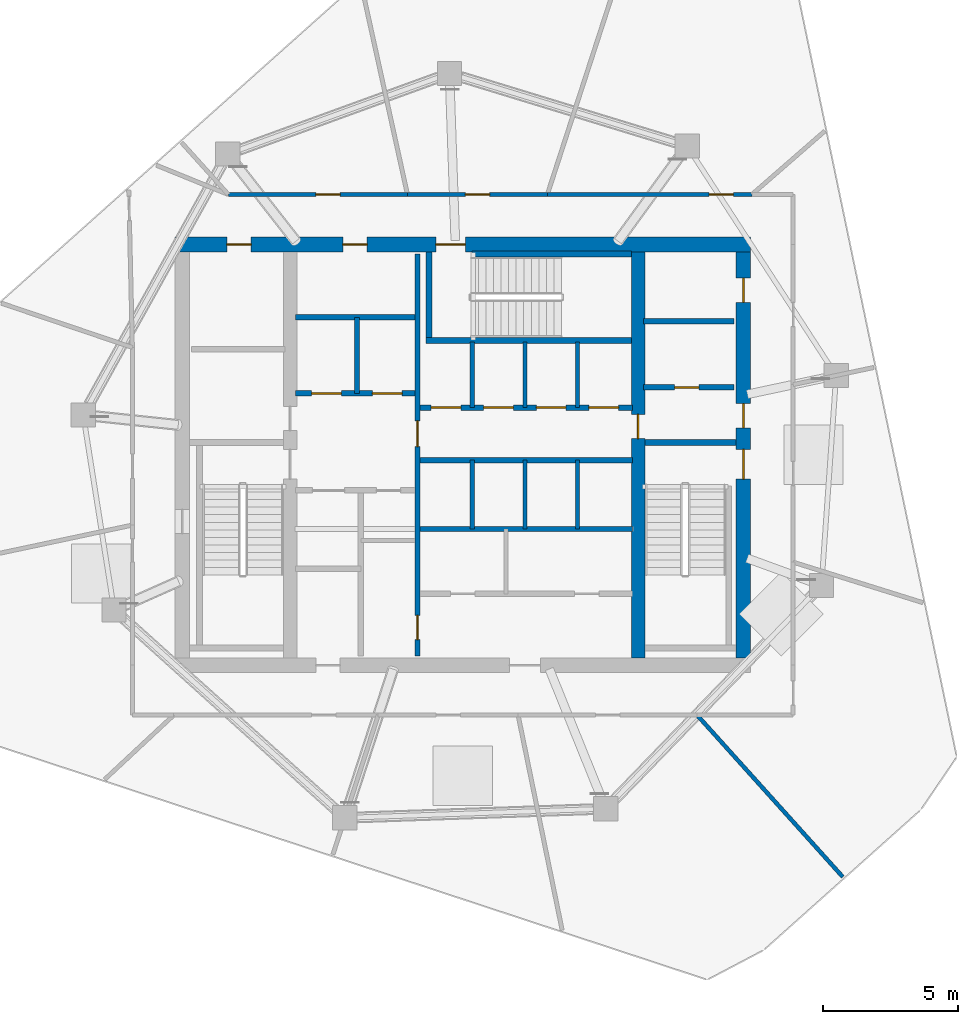
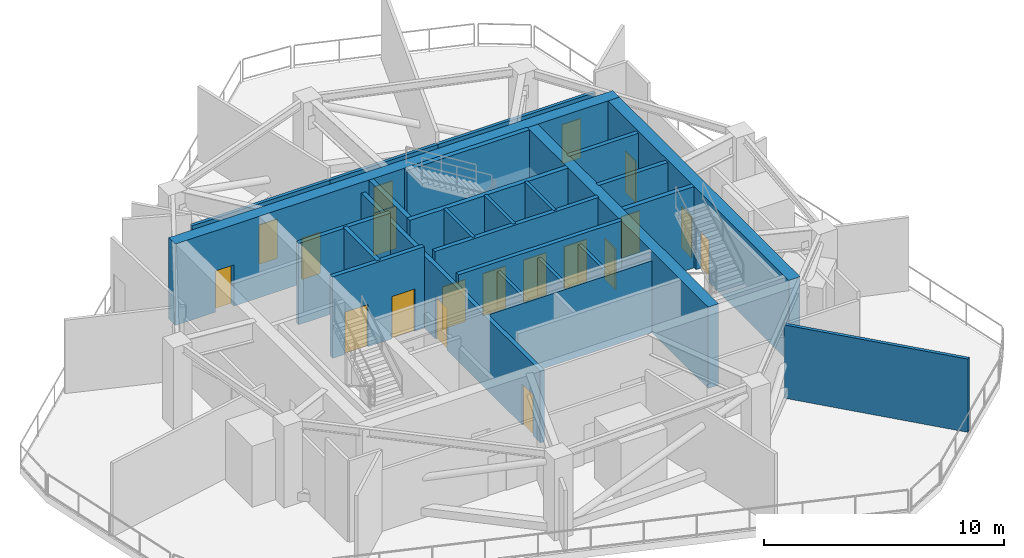
# One storey, part 3 of 6: 26 walls, 19 doors, 19 openings.
"""IFC4 building model written with IfcOpenShell, lengths in metres."""

from ifc_helpers import new_model, si_unit, direction, frame, frame_2d, origin, place, context, subcontext, project, spatial, rectangle, extrude, material, layer, layer_set, type_object, element, fill, save


model = new_model("IFC4")

# Units and contexts
model_context = context("Model", 3, precision=1e-05, world=origin(), true_north=direction((0.0, 1.0)))
body_context = subcontext(model_context, "Body", "Model", "MODEL_VIEW")
ifc_project = project(units=[si_unit("LENGTHUNIT", "METRE"), si_unit("AREAUNIT", "SQUARE_METRE"), si_unit("VOLUMEUNIT", "CUBIC_METRE"), si_unit("PLANEANGLEUNIT", "RADIAN"), si_unit("MASSUNIT", "GRAM", prefix="KILO")], contexts=[model_context])

# Site, building, storey
site_placement = place(None, origin())
site = spatial("IfcSite", under=ifc_project, at=site_placement, CompositionType="ELEMENT")
building_placement = place(site_placement, origin())
building = spatial("IfcBuilding", under=site, at=building_placement, Name="Qarnah Convention Tower", CompositionType="ELEMENT")
storey_placement = place(building_placement, frame((0.0, 0.0, 223.800048828125)))
storey = spatial("IfcBuildingStorey", under=building, at=storey_placement, Name="L60", CompositionType="ELEMENT", Elevation=223.800048828125)

# Wall, openings, doors
ifc_material_1 = material(Name="Concrete C60/75", Category="concrete")
ifc_layer_1 = layer(ifc_material_1, 0.550048828125)
ifc_layer_set_1 = layer_set([ifc_layer_1], Name="Concrete C60/75")
wall_type_1 = type_object("IfcWallType", Name="WL-CORE-550", PredefinedType="SHEAR", material=ifc_layer_set_1)
wall_1_placement = place(storey_placement, frame((26.52490234375, 34.199951171875, 0.0), z_axis=(0.0, 0.0, 1.0), x_axis=(1.0, 0.0, 0.0)))
wall_1 = element("IfcWall", 1, at=wall_1_placement, inside=storey, type_object=wall_type_1, Name="L60 core north shear wall", PredefinedType="SHEAR", context=body_context, shape_type="SweptSolid", body=[
    extrude(rectangle(XDim=21.35009765625, YDim=0.550048828125, at=frame_2d((10.675048828125, 0.0))), origin(), (0.0, 0.0, 1.0), 4.139892578125),
])
opening_1_placement = place(wall_1_placement, frame((9.675048828125, 0.0, 0.0)))
opening_1 = element("IfcOpeningElement", 2, at=opening_1_placement, cuts=wall_1, Name="Opening D-6003", PredefinedType="OPENING", context=body_context, shape_type="SweptSolid", body=[
    extrude(rectangle(XDim=1.10009765625, YDim=2.14990234375, at=frame_2d((0.550048828125, 1.074951171875))), frame((0.0, 0.284912109375, 0.0), z_axis=(0.0, -1.0, 0.0), x_axis=(1.0, 0.0, 0.0)), (0.0, 0.0, 1.0), 0.570068359375),
])
opening_2_placement = place(wall_1_placement, frame((1.925048828125, 0.0, 0.0)))
opening_2 = element("IfcOpeningElement", 3, at=opening_2_placement, cuts=wall_1, Name="Opening D-6009", PredefinedType="OPENING", context=body_context, shape_type="SweptSolid", body=[
    extrude(rectangle(XDim=0.89990234375, YDim=2.10009765625, at=frame_2d((0.449951171875, 1.050048828125))), frame((0.0, 0.284912109375, 0.0), z_axis=(0.0, -1.0, 0.0), x_axis=(1.0, 0.0, 0.0)), (0.0, 0.0, 1.0), 0.570068359375),
])
opening_3_placement = place(wall_1_placement, frame((6.22509765625, 0.0, 0.0)))
opening_3 = element("IfcOpeningElement", 4, at=opening_3_placement, cuts=wall_1, Name="Opening D-6010", PredefinedType="OPENING", context=body_context, shape_type="SweptSolid", body=[
    extrude(rectangle(XDim=0.89990234375, YDim=2.10009765625, at=frame_2d((0.449951171875, 1.050048828125))), frame((0.0, 0.284912109375, 0.0), z_axis=(0.0, -1.0, 0.0), x_axis=(1.0, 0.0, 0.0)), (0.0, 0.0, 1.0), 0.570068359375),
])
ifc_material_2 = material(Name="Structural steel S355JR", Category="steel")
door_type_1 = type_object("IfcDoorType", Name="DT-RISER-900", OperationType="NOTDEFINED", PredefinedType="DOOR", material=ifc_material_2)
door_1_placement = place(opening_2_placement, origin())
door_1 = element("IfcDoor", 5, at=door_1_placement, inside=storey, type_object=door_type_1, Name="Door D-6009", OperationType="SINGLE_SWING_LEFT", OverallHeight=2.10009765625, OverallWidth=0.89990234375, PredefinedType="DOOR", context=body_context, shape_type="SweptSolid", body=[
    extrude(rectangle(XDim=0.89990234375, YDim=2.10009765625, at=frame_2d((0.449951171875, 1.050048828125))), frame((0.0, 0.02490234375, 0.0), z_axis=(0.0, -1.0, 0.0), x_axis=(1.0, 0.0, 0.0)), (0.0, 0.0, 1.0), 0.050048828125),
])
fill(opening_2, door_1)
door_2_placement = place(opening_3_placement, origin())
door_2 = element("IfcDoor", 6, at=door_2_placement, inside=storey, type_object=door_type_1, Name="Door D-6010", OperationType="SINGLE_SWING_RIGHT", OverallHeight=2.10009765625, OverallWidth=0.89990234375, PredefinedType="DOOR", context=body_context, shape_type="SweptSolid", body=[
    extrude(rectangle(XDim=0.89990234375, YDim=2.10009765625, at=frame_2d((0.449951171875, 1.050048828125))), frame((0.0, 0.02490234375, 0.0), z_axis=(0.0, -1.0, 0.0), x_axis=(1.0, 0.0, 0.0)), (0.0, 0.0, 1.0), 0.050048828125),
])
fill(opening_3, door_2)
door_type_2 = type_object("IfcDoorType", Name="DT-STAIR-1100", OperationType="NOTDEFINED", PredefinedType="DOOR", material=ifc_material_2)
door_3_placement = place(opening_1_placement, origin())
door_3 = element("IfcDoor", 7, at=door_3_placement, inside=storey, type_object=door_type_2, Name="Door D-6003", OperationType="SINGLE_SWING_LEFT", OverallHeight=2.14990234375, OverallWidth=1.10009765625, PredefinedType="DOOR", context=body_context, shape_type="SweptSolid", body=[
    extrude(rectangle(XDim=1.10009765625, YDim=2.14990234375, at=frame_2d((0.550048828125, 1.074951171875))), frame((0.0, 0.02490234375, 0.0), z_axis=(0.0, -1.0, 0.0), x_axis=(1.0, 0.0, 0.0)), (0.0, 0.0, 1.0), 0.050048828125),
])
fill(opening_1, door_3)

wall_2_placement = place(storey_placement, frame((47.60009765625, 18.875, 0.0), z_axis=(0.0, 0.0, 1.0), x_axis=(0.0, 1.0, 0.0)))
wall_2 = element("IfcWall", 8, at=wall_2_placement, inside=storey, type_object=wall_type_1, Name="L60 core east shear wall", PredefinedType="SHEAR", context=body_context, shape_type="SweptSolid", body=[
    extrude(rectangle(XDim=15.050048828125, YDim=0.550048828125, at=frame_2d((7.52490234375, 0.0))), origin(), (0.0, 0.0, 1.0), 4.139892578125),
])
opening_4_placement = place(wall_2_placement, frame((6.625, 0.0, 0.0)))
opening_4 = element("IfcOpeningElement", 9, at=opening_4_placement, cuts=wall_2, Name="Opening D-6002", PredefinedType="OPENING", context=body_context, shape_type="SweptSolid", body=[
    extrude(rectangle(XDim=1.10009765625, YDim=2.14990234375, at=frame_2d((0.550048828125, 1.074951171875))), frame((0.0, 0.284912109375, 0.0), z_axis=(0.0, -1.0, 0.0), x_axis=(1.0, 0.0, 0.0)), (0.0, 0.0, 1.0), 0.570068359375),
])
opening_5_placement = place(wall_2_placement, frame((8.52490234375, 0.0, 0.0)))
opening_5 = element("IfcOpeningElement", 10, at=opening_5_placement, cuts=wall_2, Name="Opening D-6006", PredefinedType="OPENING", context=body_context, shape_type="SweptSolid", body=[
    extrude(rectangle(XDim=0.89990234375, YDim=2.10009765625, at=frame_2d((0.449951171875, 1.050048828125))), frame((0.0, 0.284912109375, 0.0), z_axis=(0.0, -1.0, 0.0), x_axis=(1.0, 0.0, 0.0)), (0.0, 0.0, 1.0), 0.570068359375),
])
opening_6_placement = place(wall_2_placement, frame((13.175048828125, 0.0, 0.0)))
opening_6 = element("IfcOpeningElement", 11, at=opening_6_placement, cuts=wall_2, Name="Opening D-6012", PredefinedType="OPENING", context=body_context, shape_type="SweptSolid", body=[
    extrude(rectangle(XDim=0.89990234375, YDim=2.10009765625, at=frame_2d((0.449951171875, 1.050048828125))), frame((0.0, 0.284912109375, 0.0), z_axis=(0.0, -1.0, 0.0), x_axis=(1.0, 0.0, 0.0)), (0.0, 0.0, 1.0), 0.570068359375),
])
door_4_placement = place(opening_5_placement, origin())
door_4 = element("IfcDoor", 12, at=door_4_placement, inside=storey, type_object=door_type_1, Name="Door D-6006", OperationType="SINGLE_SWING_RIGHT", OverallHeight=2.10009765625, OverallWidth=0.89990234375, PredefinedType="DOOR", context=body_context, shape_type="SweptSolid", body=[
    extrude(rectangle(XDim=0.89990234375, YDim=2.10009765625, at=frame_2d((0.449951171875, 1.050048828125))), frame((0.0, 0.02490234375, 0.0), z_axis=(0.0, -1.0, 0.0), x_axis=(1.0, 0.0, 0.0)), (0.0, 0.0, 1.0), 0.050048828125),
])
fill(opening_5, door_4)
door_5_placement = place(opening_6_placement, origin())
door_5 = element("IfcDoor", 13, at=door_5_placement, inside=storey, type_object=door_type_1, Name="Door D-6012", OperationType="SINGLE_SWING_RIGHT", OverallHeight=2.10009765625, OverallWidth=0.89990234375, PredefinedType="DOOR", context=body_context, shape_type="SweptSolid", body=[
    extrude(rectangle(XDim=0.89990234375, YDim=2.10009765625, at=frame_2d((0.449951171875, 1.050048828125))), frame((0.0, 0.02490234375, 0.0), z_axis=(0.0, -1.0, 0.0), x_axis=(1.0, 0.0, 0.0)), (0.0, 0.0, 1.0), 0.050048828125),
])
fill(opening_6, door_5)
door_6_placement = place(opening_4_placement, origin())
door_6 = element("IfcDoor", 14, at=door_6_placement, inside=storey, type_object=door_type_2, Name="Door D-6002", OperationType="SINGLE_SWING_RIGHT", OverallHeight=2.14990234375, OverallWidth=1.10009765625, PredefinedType="DOOR", context=body_context, shape_type="SweptSolid", body=[
    extrude(rectangle(XDim=1.10009765625, YDim=2.14990234375, at=frame_2d((0.550048828125, 1.074951171875))), frame((0.0, 0.02490234375, 0.0), z_axis=(0.0, -1.0, 0.0), x_axis=(1.0, 0.0, 0.0)), (0.0, 0.0, 1.0), 0.050048828125),
])
fill(opening_4, door_6)

# Wall, opening, door
ifc_layer_2 = layer(ifc_material_1, 0.5)
ifc_layer_set_2 = layer_set([ifc_layer_2], Name="Concrete C60/75")
wall_type_2 = type_object("IfcWallType", Name="WL-CORE-INT-400", PredefinedType="SHEAR", material=ifc_layer_set_2)
wall_3_placement = place(storey_placement, frame((43.699951171875, 18.875, 0.0), z_axis=(0.0, 0.0, 1.0), x_axis=(0.0, 1.0, 0.0)))
wall_3 = element("IfcWall", 15, at=wall_3_placement, inside=storey, type_object=wall_type_2, Name="L60 core east spine shear wall", PredefinedType="SHEAR", context=body_context, shape_type="SweptSolid", body=[
    extrude(rectangle(XDim=15.050048828125, YDim=0.5, at=frame_2d((7.52490234375, 0.0))), origin(), (0.0, 0.0, 1.0), 4.139892578125),
])
opening_7_placement = place(wall_3_placement, frame((8.125, 0.0, 0.0)))
opening_7 = element("IfcOpeningElement", 16, at=opening_7_placement, cuts=wall_3, Name="Opening D-6005", PredefinedType="OPENING", context=body_context, shape_type="SweptSolid", body=[
    extrude(rectangle(XDim=0.89990234375, YDim=2.10009765625, at=frame_2d((0.449951171875, 1.050048828125))), frame((0.0, 0.260009765625, 0.0), z_axis=(0.0, -1.0, 0.0), x_axis=(1.0, 0.0, 0.0)), (0.0, 0.0, 1.0), 0.52001953125),
])
door_7_placement = place(opening_7_placement, origin())
door_7 = element("IfcDoor", 17, at=door_7_placement, inside=storey, type_object=door_type_1, Name="Door D-6005", OperationType="SINGLE_SWING_LEFT", OverallHeight=2.10009765625, OverallWidth=0.89990234375, PredefinedType="DOOR", context=body_context, shape_type="SweptSolid", body=[
    extrude(rectangle(XDim=0.89990234375, YDim=2.10009765625, at=frame_2d((0.449951171875, 1.050048828125))), frame((0.0, 0.02490234375, 0.0), z_axis=(0.0, -1.0, 0.0), x_axis=(1.0, 0.0, 0.0)), (0.0, 0.0, 1.0), 0.050048828125),
])
fill(opening_7, door_7)

ifc_material_3 = material(Name="Concrete C45/55", Category="concrete")
ifc_layer_3 = layer(ifc_material_3, 0.199951171875)
ifc_layer_set_3 = layer_set([ifc_layer_3], Name="Concrete C45/55")
wall_type_3 = type_object("IfcWallType", Name="WL-CORE-PART-200", PredefinedType="SOLIDWALL", material=ifc_layer_set_3)
wall_4_placement = place(storey_placement, frame((43.89990234375, 28.89990234375, 0.0), z_axis=(0.0, 0.0, 1.0), x_axis=(1.0, 0.0, 0.0)))
wall_4 = element("IfcWall", 18, at=wall_4_placement, inside=storey, type_object=wall_type_3, Name="L60 interior wall IW-L60-EVSTN", PredefinedType="SOLIDWALL", context=body_context, shape_type="SweptSolid", body=[
    extrude(rectangle(XDim=3.35009765625, YDim=0.199951171875, at=frame_2d((1.675048828125, 0.0))), origin(), (0.0, 0.0, 1.0), 4.139892578125),
])
opening_8_placement = place(wall_4_placement, frame((1.14990234375, 0.0, 0.0)))
opening_8 = element("IfcOpeningElement", 19, at=opening_8_placement, cuts=wall_4, Name="Opening D-6011", PredefinedType="OPENING", context=body_context, shape_type="SweptSolid", body=[
    extrude(rectangle(XDim=0.89990234375, YDim=2.10009765625, at=frame_2d((0.449951171875, 1.050048828125))), frame((0.0, 0.10986328125, 0.0), z_axis=(0.0, -1.0, 0.0), x_axis=(1.0, 0.0, 0.0)), (0.0, 0.0, 1.0), 0.219970703125),
])
door_8_placement = place(opening_8_placement, origin())
door_8 = element("IfcDoor", 20, at=door_8_placement, inside=storey, type_object=door_type_1, Name="Door D-6011", OperationType="SINGLE_SWING_LEFT", OverallHeight=2.10009765625, OverallWidth=0.89990234375, PredefinedType="DOOR", context=body_context, shape_type="SweptSolid", body=[
    extrude(rectangle(XDim=0.89990234375, YDim=2.10009765625, at=frame_2d((0.449951171875, 1.050048828125))), frame((0.0, 0.02490234375, 0.0), z_axis=(0.0, -1.0, 0.0), x_axis=(1.0, 0.0, 0.0)), (0.0, 0.0, 1.0), 0.050048828125),
])
fill(opening_8, door_8)

# Wall
wall_5_placement = place(storey_placement, frame((43.89990234375, 31.35009765625, 0.0), z_axis=(0.0, 0.0, 1.0), x_axis=(1.0, 0.0, 0.0)))
element("IfcWall", 21, at=wall_5_placement, inside=storey, type_object=wall_type_3, Name="L60 interior wall IW-L60-WTRN", PredefinedType="SOLIDWALL", context=body_context, shape_type="SweptSolid", body=[
    extrude(rectangle(XDim=3.35009765625, YDim=0.199951171875, at=frame_2d((1.675048828125, 0.0))), origin(), (0.0, 0.0, 1.0), 4.139892578125),
])

# Wall, openings, doors
wall_6_placement = place(storey_placement, frame((35.52001953125, 18.949951171875, 0.0), z_axis=(0.0, 0.0, 1.0), x_axis=(0.0, 1.0, 0.0)))
wall_6 = element("IfcWall", 22, at=wall_6_placement, inside=storey, type_object=wall_type_3, Name="L60 interior wall IW-L60-CSP", PredefinedType="SOLIDWALL", context=body_context, shape_type="SweptSolid", body=[
    extrude(rectangle(XDim=14.900146484375, YDim=0.199951171875, at=frame_2d((7.4501953125, 0.0))), origin(), (0.0, 0.0, 1.0), 3.660888671875),
])
opening_9_placement = place(wall_6_placement, frame((7.7548828125, 0.0, 0.0)))
opening_9 = element("IfcOpeningElement", 23, at=opening_9_placement, cuts=wall_6, Name="Opening D-6004", PredefinedType="OPENING", context=body_context, shape_type="SweptSolid", body=[
    extrude(rectangle(XDim=0.949951171875, YDim=2.14990234375, at=frame_2d((0.47509765625, 1.074951171875))), frame((0.0, 0.10986328125, 0.0), z_axis=(0.0, -1.0, 0.0), x_axis=(1.0, 0.0, 0.0)), (0.0, 0.0, 1.0), 0.219970703125),
])
opening_10_placement = place(wall_6_placement, frame((0.60009765625, 0.0, 0.0)))
opening_10 = element("IfcOpeningElement", 24, at=opening_10_placement, cuts=wall_6, Name="Opening D-6014", PredefinedType="OPENING", context=body_context, shape_type="SweptSolid", body=[
    extrude(rectangle(XDim=0.89990234375, YDim=2.10009765625, at=frame_2d((0.449951171875, 1.050048828125))), frame((0.0, 0.10986328125, 0.0), z_axis=(0.0, -1.0, 0.0), x_axis=(1.0, 0.0, 0.0)), (0.0, 0.0, 1.0), 0.219970703125),
])
ifc_material_4 = material(Name="Oak timber veneer", Category="wood")
door_type_3 = type_object("IfcDoorType", Name="DT-HOTEL-950", OperationType="NOTDEFINED", PredefinedType="DOOR", material=ifc_material_4)
door_9_placement = place(opening_9_placement, origin())
door_9 = element("IfcDoor", 25, at=door_9_placement, inside=storey, type_object=door_type_3, Name="Door D-6004", OperationType="SINGLE_SWING_RIGHT", OverallHeight=2.14990234375, OverallWidth=0.949951171875, PredefinedType="DOOR", context=body_context, shape_type="SweptSolid", body=[
    extrude(rectangle(XDim=0.949951171875, YDim=2.14990234375, at=frame_2d((0.47509765625, 1.074951171875))), frame((0.0, 0.02490234375, 0.0), z_axis=(0.0, -1.0, 0.0), x_axis=(1.0, 0.0, 0.0)), (0.0, 0.0, 1.0), 0.050048828125),
])
fill(opening_9, door_9)
door_10_placement = place(opening_10_placement, origin())
door_10 = element("IfcDoor", 26, at=door_10_placement, inside=storey, type_object=door_type_1, Name="Door D-6014", OperationType="SINGLE_SWING_RIGHT", OverallHeight=2.10009765625, OverallWidth=0.89990234375, PredefinedType="DOOR", context=body_context, shape_type="SweptSolid", body=[
    extrude(rectangle(XDim=0.89990234375, YDim=2.10009765625, at=frame_2d((0.449951171875, 1.050048828125))), frame((0.0, 0.02490234375, 0.0), z_axis=(0.0, -1.0, 0.0), x_axis=(1.0, 0.0, 0.0)), (0.0, 0.0, 1.0), 0.050048828125),
])
fill(opening_10, door_10)

wall_7_placement = place(storey_placement, frame((31.0, 28.679931640625, 0.0), z_axis=(0.0, 0.0, 1.0), x_axis=(1.0, 0.0, 0.0)))
wall_7 = element("IfcWall", 27, at=wall_7_placement, inside=storey, type_object=wall_type_3, Name="L60 interior wall IW-L60-FFLS", PredefinedType="SOLIDWALL", context=body_context, shape_type="SweptSolid", body=[
    extrude(rectangle(XDim=4.419921875, YDim=0.199951171875, at=frame_2d((2.2099609375, 0.0))), origin(), (0.0, 0.0, 1.0), 4.139892578125),
])
opening_11_placement = place(wall_7_placement, frame((0.60009765625, 0.0, 0.0)))
opening_11 = element("IfcOpeningElement", 28, at=opening_11_placement, cuts=wall_7, Name="Opening LD-6001", PredefinedType="OPENING", context=body_context, shape_type="SweptSolid", body=[
    extrude(rectangle(XDim=1.10009765625, YDim=2.14990234375, at=frame_2d((0.550048828125, 1.074951171875))), frame((0.0, 0.10986328125, 0.0), z_axis=(0.0, -1.0, 0.0), x_axis=(1.0, 0.0, 0.0)), (0.0, 0.0, 1.0), 0.219970703125),
])
opening_12_placement = place(wall_7_placement, frame((2.85009765625, 0.0, 0.0)))
opening_12 = element("IfcOpeningElement", 29, at=opening_12_placement, cuts=wall_7, Name="Opening LD-6002", PredefinedType="OPENING", context=body_context, shape_type="SweptSolid", body=[
    extrude(rectangle(XDim=1.10009765625, YDim=2.14990234375, at=frame_2d((0.550048828125, 1.074951171875))), frame((0.0, 0.10986328125, 0.0), z_axis=(0.0, -1.0, 0.0), x_axis=(1.0, 0.0, 0.0)), (0.0, 0.0, 1.0), 0.219970703125),
])
door_type_4 = type_object("IfcDoorType", Name="DT-LIFT-1100", OperationType="SLIDING_TO_LEFT", PredefinedType="DOOR", material=ifc_material_2)
door_11_placement = place(opening_11_placement, origin())
door_11 = element("IfcDoor", 30, at=door_11_placement, inside=storey, type_object=door_type_4, Name="Door LD-6001", OperationType="SLIDING_TO_LEFT", OverallHeight=2.14990234375, OverallWidth=1.10009765625, PredefinedType="DOOR", context=body_context, shape_type="SweptSolid", body=[
    extrude(rectangle(XDim=1.10009765625, YDim=2.14990234375, at=frame_2d((0.550048828125, 1.074951171875))), frame((0.0, 0.02490234375, 0.0), z_axis=(0.0, -1.0, 0.0), x_axis=(1.0, 0.0, 0.0)), (0.0, 0.0, 1.0), 0.050048828125),
])
fill(opening_11, door_11)
door_12_placement = place(opening_12_placement, origin())
door_12 = element("IfcDoor", 31, at=door_12_placement, inside=storey, type_object=door_type_4, Name="Door LD-6002", OperationType="SLIDING_TO_LEFT", OverallHeight=2.14990234375, OverallWidth=1.10009765625, PredefinedType="DOOR", context=body_context, shape_type="SweptSolid", body=[
    extrude(rectangle(XDim=1.10009765625, YDim=2.14990234375, at=frame_2d((0.550048828125, 1.074951171875))), frame((0.0, 0.02490234375, 0.0), z_axis=(0.0, -1.0, 0.0), x_axis=(1.0, 0.0, 0.0)), (0.0, 0.0, 1.0), 0.050048828125),
])
fill(opening_12, door_12)

# Walls
wall_8_placement = place(storey_placement, frame((31.0, 31.5, 0.0), z_axis=(0.0, 0.0, 1.0), x_axis=(1.0, 0.0, 0.0)))
element("IfcWall", 32, at=wall_8_placement, inside=storey, type_object=wall_type_3, Name="L60 interior wall IW-L60-FFLN", PredefinedType="SOLIDWALL", context=body_context, shape_type="SweptSolid", body=[
    extrude(rectangle(XDim=4.419921875, YDim=0.199951171875, at=frame_2d((2.2099609375, 0.0))), origin(), (0.0, 0.0, 1.0), 4.139892578125),
])
wall_9_placement = place(storey_placement, frame((33.280029296875, 28.679931640625, 0.0), z_axis=(0.0, 0.0, 1.0), x_axis=(0.0, 1.0, 0.0)))
element("IfcWall", 33, at=wall_9_placement, inside=storey, type_object=wall_type_3, Name="L60 interior wall IW-L60-FFLM", PredefinedType="SOLIDWALL", context=body_context, shape_type="SweptSolid", body=[
    extrude(rectangle(XDim=2.820068359375, YDim=0.199951171875, at=frame_2d((1.41015625, 0.0))), origin(), (0.0, 0.0, 1.0), 4.139892578125),
])

# Wall, openings, doors
wall_10_placement = place(storey_placement, frame((35.6201171875, 28.14990234375, 0.0), z_axis=(0.0, 0.0, 1.0), x_axis=(1.0, 0.0, 0.0)))
wall_10 = element("IfcWall", 34, at=wall_10_placement, inside=storey, type_object=wall_type_3, Name="L60 interior wall IW-L60-PHS", PredefinedType="SOLIDWALL", context=body_context, shape_type="SweptSolid", body=[
    extrude(rectangle(XDim=7.8798828125, YDim=0.199951171875, at=frame_2d((3.93994140625, 0.0))), origin(), (0.0, 0.0, 1.0), 4.139892578125),
])
opening_13_placement = place(wall_10_placement, frame((0.405029296875, 0.0, 0.0)))
opening_13 = element("IfcOpeningElement", 35, at=opening_13_placement, cuts=wall_10, Name="Opening LD-6004", PredefinedType="OPENING", context=body_context, shape_type="SweptSolid", body=[
    extrude(rectangle(XDim=1.10009765625, YDim=2.14990234375, at=frame_2d((0.550048828125, 1.074951171875))), frame((0.0, 0.10986328125, 0.0), z_axis=(0.0, -1.0, 0.0), x_axis=(1.0, 0.0, 0.0)), (0.0, 0.0, 1.0), 0.219970703125),
])
opening_14_placement = place(wall_10_placement, frame((2.35498046875, 0.0, 0.0)))
opening_14 = element("IfcOpeningElement", 36, at=opening_14_placement, cuts=wall_10, Name="Opening LD-6005", PredefinedType="OPENING", context=body_context, shape_type="SweptSolid", body=[
    extrude(rectangle(XDim=1.10009765625, YDim=2.14990234375, at=frame_2d((0.550048828125, 1.074951171875))), frame((0.0, 0.10986328125, 0.0), z_axis=(0.0, -1.0, 0.0), x_axis=(1.0, 0.0, 0.0)), (0.0, 0.0, 1.0), 0.219970703125),
])
opening_15_placement = place(wall_10_placement, frame((4.304931640625, 0.0, 0.0)))
opening_15 = element("IfcOpeningElement", 37, at=opening_15_placement, cuts=wall_10, Name="Opening LD-6006", PredefinedType="OPENING", context=body_context, shape_type="SweptSolid", body=[
    extrude(rectangle(XDim=1.10009765625, YDim=2.14990234375, at=frame_2d((0.550048828125, 1.074951171875))), frame((0.0, 0.10986328125, 0.0), z_axis=(0.0, -1.0, 0.0), x_axis=(1.0, 0.0, 0.0)), (0.0, 0.0, 1.0), 0.219970703125),
])
opening_16_placement = place(wall_10_placement, frame((6.2548828125, 0.0, 0.0)))
opening_16 = element("IfcOpeningElement", 38, at=opening_16_placement, cuts=wall_10, Name="Opening LD-6007", PredefinedType="OPENING", context=body_context, shape_type="SweptSolid", body=[
    extrude(rectangle(XDim=1.10009765625, YDim=2.14990234375, at=frame_2d((0.550048828125, 1.074951171875))), frame((0.0, 0.10986328125, 0.0), z_axis=(0.0, -1.0, 0.0), x_axis=(1.0, 0.0, 0.0)), (0.0, 0.0, 1.0), 0.219970703125),
])
door_13_placement = place(opening_13_placement, origin())
door_13 = element("IfcDoor", 39, at=door_13_placement, inside=storey, type_object=door_type_4, Name="Door LD-6004", OperationType="SLIDING_TO_LEFT", OverallHeight=2.14990234375, OverallWidth=1.10009765625, PredefinedType="DOOR", context=body_context, shape_type="SweptSolid", body=[
    extrude(rectangle(XDim=1.10009765625, YDim=2.14990234375, at=frame_2d((0.550048828125, 1.074951171875))), frame((0.0, 0.02490234375, 0.0), z_axis=(0.0, -1.0, 0.0), x_axis=(1.0, 0.0, 0.0)), (0.0, 0.0, 1.0), 0.050048828125),
])
fill(opening_13, door_13)
door_14_placement = place(opening_14_placement, origin())
door_14 = element("IfcDoor", 40, at=door_14_placement, inside=storey, type_object=door_type_4, Name="Door LD-6005", OperationType="SLIDING_TO_LEFT", OverallHeight=2.14990234375, OverallWidth=1.10009765625, PredefinedType="DOOR", context=body_context, shape_type="SweptSolid", body=[
    extrude(rectangle(XDim=1.10009765625, YDim=2.14990234375, at=frame_2d((0.550048828125, 1.074951171875))), frame((0.0, 0.02490234375, 0.0), z_axis=(0.0, -1.0, 0.0), x_axis=(1.0, 0.0, 0.0)), (0.0, 0.0, 1.0), 0.050048828125),
])
fill(opening_14, door_14)
door_15_placement = place(opening_15_placement, origin())
door_15 = element("IfcDoor", 41, at=door_15_placement, inside=storey, type_object=door_type_4, Name="Door LD-6006", OperationType="SLIDING_TO_LEFT", OverallHeight=2.14990234375, OverallWidth=1.10009765625, PredefinedType="DOOR", context=body_context, shape_type="SweptSolid", body=[
    extrude(rectangle(XDim=1.10009765625, YDim=2.14990234375, at=frame_2d((0.550048828125, 1.074951171875))), frame((0.0, 0.02490234375, 0.0), z_axis=(0.0, -1.0, 0.0), x_axis=(1.0, 0.0, 0.0)), (0.0, 0.0, 1.0), 0.050048828125),
])
fill(opening_15, door_15)
door_16_placement = place(opening_16_placement, origin())
door_16 = element("IfcDoor", 42, at=door_16_placement, inside=storey, type_object=door_type_4, Name="Door LD-6007", OperationType="SLIDING_TO_LEFT", OverallHeight=2.14990234375, OverallWidth=1.10009765625, PredefinedType="DOOR", context=body_context, shape_type="SweptSolid", body=[
    extrude(rectangle(XDim=1.10009765625, YDim=2.14990234375, at=frame_2d((0.550048828125, 1.074951171875))), frame((0.0, 0.02490234375, 0.0), z_axis=(0.0, -1.0, 0.0), x_axis=(1.0, 0.0, 0.0)), (0.0, 0.0, 1.0), 0.050048828125),
])
fill(opening_16, door_16)

# Walls
wall_11_placement = place(storey_placement, frame((35.6201171875, 26.199951171875, 0.0), z_axis=(0.0, 0.0, 1.0), x_axis=(1.0, 0.0, 0.0)))
element("IfcWall", 43, at=wall_11_placement, inside=storey, type_object=wall_type_3, Name="L60 interior wall IW-L60-PMN", PredefinedType="SOLIDWALL", context=body_context, shape_type="SweptSolid", body=[
    extrude(rectangle(XDim=7.8798828125, YDim=0.199951171875, at=frame_2d((3.93994140625, 0.0))), origin(), (0.0, 0.0, 1.0), 4.139892578125),
])
wall_12_placement = place(storey_placement, frame((35.6201171875, 23.64990234375, 0.0), z_axis=(0.0, 0.0, 1.0), x_axis=(1.0, 0.0, 0.0)))
element("IfcWall", 44, at=wall_12_placement, inside=storey, type_object=wall_type_3, Name="L60 interior wall IW-L60-PMPL", PredefinedType="SOLIDWALL", context=body_context, shape_type="SweptSolid", body=[
    extrude(rectangle(XDim=7.8798828125, YDim=0.199951171875, at=frame_2d((3.93994140625, 0.0))), origin(), (0.0, 0.0, 1.0), 3.660888671875),
])
ifc_layer_4 = layer(ifc_material_1, 0.219970703125)
ifc_layer_set_4 = layer_set([ifc_layer_4], Name="Concrete C60/75")
wall_type_4 = type_object("IfcWallType", Name="WL-CORE-STAIR-220", PredefinedType="SHEAR", material=ifc_layer_set_4)
wall_13_placement = place(storey_placement, frame((43.949951171875, 26.860107421875, 0.0), z_axis=(0.0, 0.0, 1.0), x_axis=(1.0, 0.0, 0.0)))
element("IfcWall", 45, at=wall_13_placement, inside=storey, type_object=wall_type_4, Name="L60 stair shaft shear wall SW-L60-ST2N", PredefinedType="SHEAR", context=body_context, shape_type="SweptSolid", body=[
    extrude(rectangle(XDim=3.375, YDim=0.219970703125, at=frame_2d((1.6875, 0.0))), origin(), (0.0, 0.0, 1.0), 4.139892578125),
])
wall_14_placement = place(storey_placement, frame((35.840087890625, 30.639892578125, 0.0), z_axis=(0.0, 0.0, 1.0), x_axis=(1.0, 0.0, 0.0)))
element("IfcWall", 46, at=wall_14_placement, inside=storey, type_object=wall_type_4, Name="L60 stair shaft shear wall SW-L60-ST3S", PredefinedType="SHEAR", context=body_context, shape_type="SweptSolid", body=[
    extrude(rectangle(XDim=7.60986328125, YDim=0.219970703125, at=frame_2d((3.804931640625, 0.0))), origin(), (0.0, 0.0, 1.0), 4.139892578125),
])
wall_15_placement = place(storey_placement, frame((35.93994140625, 30.75, 0.0), z_axis=(0.0, 0.0, 1.0), x_axis=(0.0, 1.0, 0.0)))
element("IfcWall", 47, at=wall_15_placement, inside=storey, type_object=wall_type_4, Name="L60 stair shaft shear wall SW-L60-ST3W", PredefinedType="SHEAR", context=body_context, shape_type="SweptSolid", body=[
    extrude(rectangle(XDim=3.175048828125, YDim=0.219970703125, at=frame_2d((1.58740234375, 0.0))), origin(), (0.0, 0.0, 1.0), 4.139892578125),
])
wall_16_placement = place(storey_placement, frame((37.550048828125, 33.840087890625, 0.0), z_axis=(0.0, 0.0, 1.0), x_axis=(1.0, 0.0, 0.0)))
element("IfcWall", 48, at=wall_16_placement, inside=storey, type_object=wall_type_4, Name="L60 stair shaft shear wall SW-L60-ST3N", PredefinedType="SHEAR", context=body_context, shape_type="SweptSolid", body=[
    extrude(rectangle(XDim=5.89990234375, YDim=0.219970703125, at=frame_2d((2.949951171875, 0.0))), origin(), (0.0, 0.0, 1.0), 4.139892578125),
])
ifc_material_5 = material(Name="Gypsum partition board")
ifc_layer_5 = layer(ifc_material_5, 0.14990234375)
ifc_layer_set_5 = layer_set([ifc_layer_5], Name="Gypsum partition board")
wall_type_5 = type_object("IfcWallType", Name="WL-SUITE-150", PredefinedType="PARTITIONING", material=ifc_layer_set_5)
for number, where, z_axis, x_axis, name in (
    (49, (37.550048828125, 28.14990234375, 0.0), (0.0, 0.0, 1.0), (0.0, 1.0, 0.0), "L60 interior wall IW-L60-PHD1"),
    (50, (39.5, 28.14990234375, 0.0), (0.0, 0.0, 1.0), (0.0, 1.0, 0.0), "L60 interior wall IW-L60-PHD2"),
    (51, (41.449951171875, 28.14990234375, 0.0), (0.0, 0.0, 1.0), (0.0, 1.0, 0.0), "L60 interior wall IW-L60-PHD3"),
):
    element("IfcWall", number, at=place(storey_placement, frame(where, z_axis=z_axis, x_axis=x_axis)), inside=storey, type_object=wall_type_5, Name=name, PredefinedType="PARTITIONING", context=body_context, shape_type="SweptSolid", body=[
        extrude(rectangle(XDim=2.43017578125, YDim=0.14990234375, at=frame_2d((1.215087890625, 0.0))), origin(), (0.0, 0.0, 1.0), 4.139892578125),
    ])
for number, where, z_axis, x_axis, name in (
    (52, (37.550048828125, 23.64990234375, 0.0), (0.0, 0.0, 1.0), (0.0, 1.0, 0.0), "L60 interior wall IW-L60-PMD1"),
    (53, (39.5, 23.64990234375, 0.0), (0.0, 0.0, 1.0), (0.0, 1.0, 0.0), "L60 interior wall IW-L60-PMD2"),
    (54, (41.449951171875, 23.64990234375, 0.0), (0.0, 0.0, 1.0), (0.0, 1.0, 0.0), "L60 interior wall IW-L60-PMD3"),
):
    element("IfcWall", number, at=place(storey_placement, frame(where, z_axis=z_axis, x_axis=x_axis)), inside=storey, type_object=wall_type_5, Name=name, PredefinedType="PARTITIONING", context=body_context, shape_type="SweptSolid", body=[
        extrude(rectangle(XDim=2.550048828125, YDim=0.14990234375, at=frame_2d((1.27490234375, 0.0))), origin(), (0.0, 0.0, 1.0), 3.660888671875),
    ])

# Wall, opening, door
wall_17_placement = place(storey_placement, frame((40.3349609375, 36.050048828125, 0.0), z_axis=(0.0, 0.0, 1.0), x_axis=(1.0, 0.0, 0.0)))
wall_17 = element("IfcWall", 55, at=wall_17_placement, inside=storey, type_object=wall_type_5, Name="L60 interior wall IW-L60-R-02", PredefinedType="PARTITIONING", context=body_context, shape_type="SweptSolid", body=[
    extrude(rectangle(XDim=7.58203125, YDim=0.14990234375, at=frame_2d((3.791015625, 0.0))), origin(), (0.0, 0.0, 1.0), 3.125),
])
opening_17_placement = place(wall_17_placement, frame((5.9990234375, 0.0, 0.0)))
opening_17 = element("IfcOpeningElement", 56, at=opening_17_placement, cuts=wall_17, Name="Opening D-6018", PredefinedType="OPENING", context=body_context, shape_type="SweptSolid", body=[
    extrude(rectangle(XDim=0.89990234375, YDim=2.0, at=frame_2d((0.449951171875, 1.0))), frame((0.0, 0.0849609375, 0.0), z_axis=(0.0, -1.0, 0.0), x_axis=(1.0, 0.0, 0.0)), (0.0, 0.0, 1.0), 0.169921875),
])
door_type_5 = type_object("IfcDoorType", Name="DT-PLANT-900", OperationType="NOTDEFINED", PredefinedType="DOOR", material=ifc_material_2)
door_17_placement = place(opening_17_placement, origin())
door_17 = element("IfcDoor", 57, at=door_17_placement, inside=storey, type_object=door_type_5, Name="Door D-6018", OperationType="SINGLE_SWING_RIGHT", OverallHeight=2.0, OverallWidth=0.89990234375, PredefinedType="DOOR", context=body_context, shape_type="SweptSolid", body=[
    extrude(rectangle(XDim=0.89990234375, YDim=2.0, at=frame_2d((0.449951171875, 1.0))), frame((0.0, 0.02490234375, 0.0), z_axis=(0.0, -1.0, 0.0), x_axis=(1.0, 0.0, 0.0)), (0.0, 0.0, 1.0), 0.050048828125),
])
fill(opening_17, door_17)

wall_18_placement = place(storey_placement, frame((35.14892578125, 36.050048828125, 0.0), z_axis=(0.0, 0.0, 1.0), x_axis=(1.0, 0.0, 0.0)))
wall_18 = element("IfcWall", 58, at=wall_18_placement, inside=storey, type_object=wall_type_5, Name="L60 interior wall IW-L60-R-05", PredefinedType="PARTITIONING", context=body_context, shape_type="SweptSolid", body=[
    extrude(rectangle(XDim=5.18603515625, YDim=0.14990234375, at=frame_2d((2.593017578125, 0.0))), origin(), (0.0, 0.0, 1.0), 3.125),
])
opening_18_placement = place(wall_18_placement, frame((2.14306640625, 0.0, 0.0)))
opening_18 = element("IfcOpeningElement", 59, at=opening_18_placement, cuts=wall_18, Name="Opening D-6019", PredefinedType="OPENING", context=body_context, shape_type="SweptSolid", body=[
    extrude(rectangle(XDim=0.89990234375, YDim=2.0, at=frame_2d((0.449951171875, 1.0))), frame((0.0, 0.0849609375, 0.0), z_axis=(0.0, -1.0, 0.0), x_axis=(1.0, 0.0, 0.0)), (0.0, 0.0, 1.0), 0.169921875),
])
door_18_placement = place(opening_18_placement, origin())
door_18 = element("IfcDoor", 60, at=door_18_placement, inside=storey, type_object=door_type_5, Name="Door D-6019", OperationType="SINGLE_SWING_LEFT", OverallHeight=2.0, OverallWidth=0.89990234375, PredefinedType="DOOR", context=body_context, shape_type="SweptSolid", body=[
    extrude(rectangle(XDim=0.89990234375, YDim=2.0, at=frame_2d((0.449951171875, 1.0))), frame((0.0, 0.02490234375, 0.0), z_axis=(0.0, -1.0, 0.0), x_axis=(1.0, 0.0, 0.0)), (0.0, 0.0, 1.0), 0.050048828125),
])
fill(opening_18, door_18)

wall_19_placement = place(storey_placement, frame((28.510986328125, 36.050048828125, 0.0), z_axis=(0.0, 0.0, 1.0), x_axis=(1.0, 0.0, 0.0)))
wall_19 = element("IfcWall", 61, at=wall_19_placement, inside=storey, type_object=wall_type_5, Name="L60 interior wall IW-L60-R-07", PredefinedType="PARTITIONING", context=body_context, shape_type="SweptSolid", body=[
    extrude(rectangle(XDim=6.637939453125, YDim=0.14990234375, at=frame_2d((3.31884765625, 0.0))), origin(), (0.0, 0.0, 1.0), 3.125),
])
opening_19_placement = place(wall_19_placement, frame((3.2451171875, 0.0, 0.0)))
opening_19 = element("IfcOpeningElement", 62, at=opening_19_placement, cuts=wall_19, Name="Opening D-6020", PredefinedType="OPENING", context=body_context, shape_type="SweptSolid", body=[
    extrude(rectangle(XDim=0.89990234375, YDim=2.0, at=frame_2d((0.449951171875, 1.0))), frame((0.0, 0.0849609375, 0.0), z_axis=(0.0, -1.0, 0.0), x_axis=(1.0, 0.0, 0.0)), (0.0, 0.0, 1.0), 0.169921875),
])
door_19_placement = place(opening_19_placement, origin())
door_19 = element("IfcDoor", 63, at=door_19_placement, inside=storey, type_object=door_type_5, Name="Door D-6020", OperationType="SINGLE_SWING_RIGHT", OverallHeight=2.0, OverallWidth=0.89990234375, PredefinedType="DOOR", context=body_context, shape_type="SweptSolid", body=[
    extrude(rectangle(XDim=0.89990234375, YDim=2.0, at=frame_2d((0.449951171875, 1.0))), frame((0.0, 0.02490234375, 0.0), z_axis=(0.0, -1.0, 0.0), x_axis=(1.0, 0.0, 0.0)), (0.0, 0.0, 1.0), 0.050048828125),
])
fill(opening_19, door_19)

# Wall
wall_20_placement = place(storey_placement, frame((51.287109375, 10.75390625, 0.0), z_axis=(0.0, 0.0, 1.0), x_axis=(-0.669081751461, 0.743188811717, 0.0)))
element("IfcWall", 64, at=wall_20_placement, inside=storey, type_object=wall_type_5, Name="L60 interior wall IW-L60-R-21", PredefinedType="PARTITIONING", context=body_context, shape_type="SweptSolid", body=[
    extrude(rectangle(XDim=8.068115234375, YDim=0.14990234375, at=frame_2d((4.0341796875, 0.0))), origin(), (0.0, 0.0, 1.0), 3.724853515625),
])

save(model, "model.ifc")
